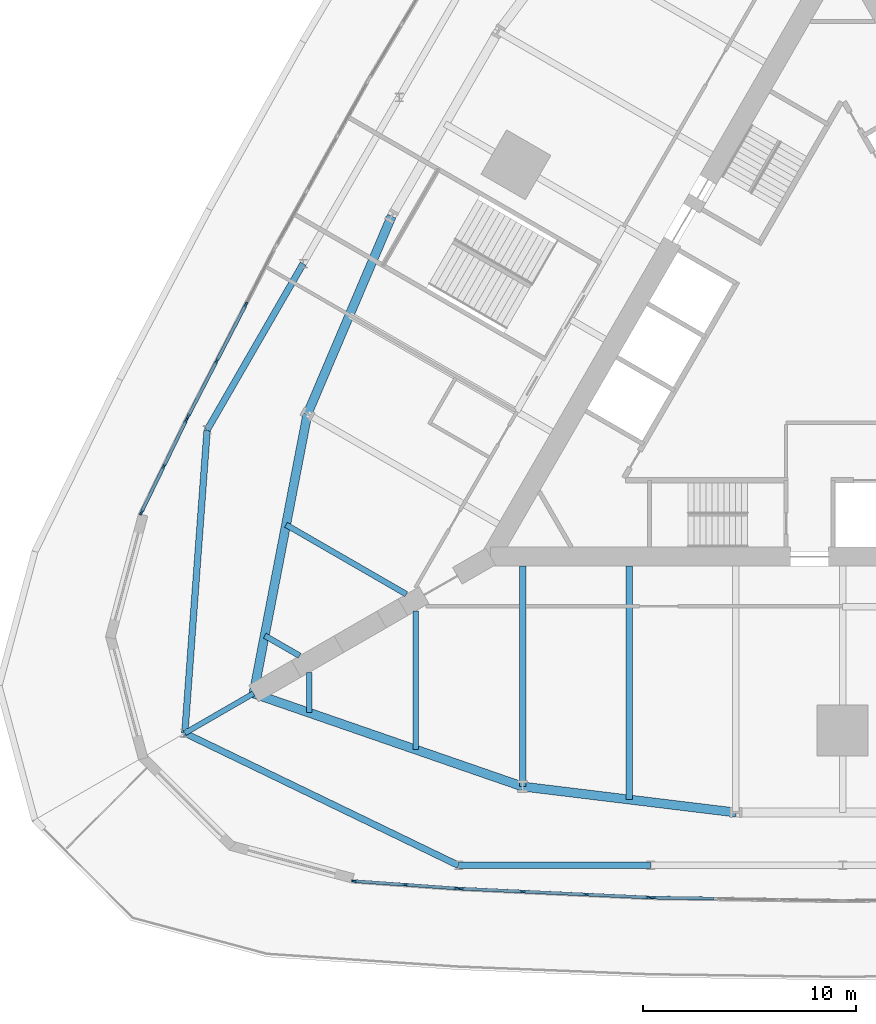
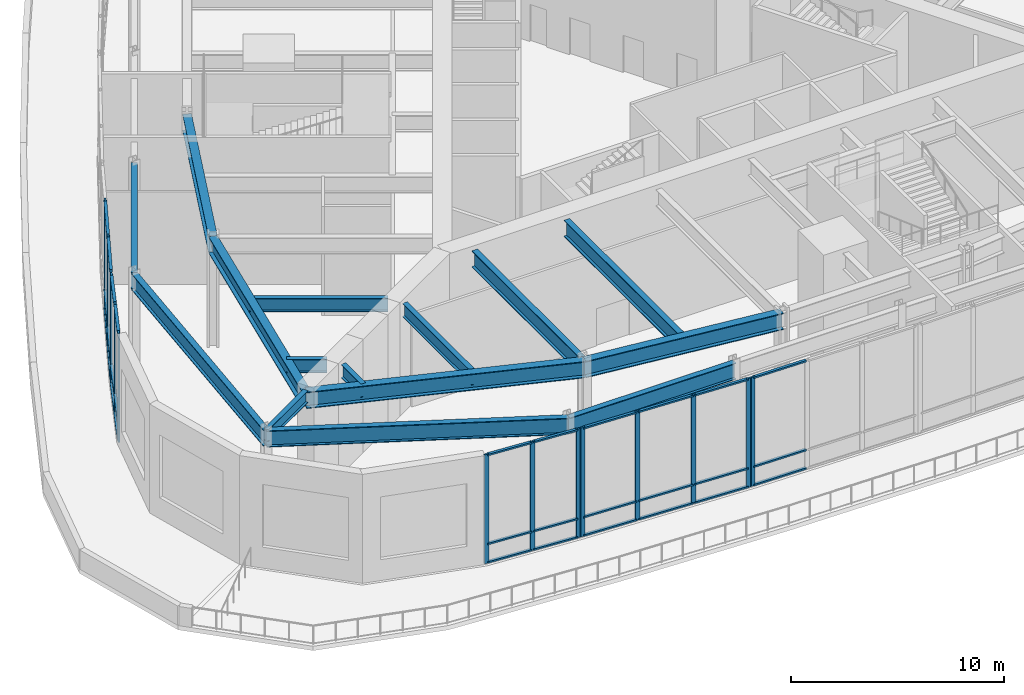
# One storey, part 3 of 19: 44 members, 15 beams, 5 elements without a shape of their own.
"""IFC4 building model written with IfcOpenShell, lengths in metres."""

from ifc_helpers import new_model, si_unit, direction, frame, origin, origin_2d, place, context, subcontext, project, spatial, rectangle, i_section, extrude, material, material_profile, profile_set, type_object, element, aggregate, save


model = new_model("IFC4")

# Units and contexts
model_context = context("Model", 3, precision=1e-05, world=origin(), true_north=direction((0.0, 1.0)))
body_context = subcontext(model_context, "Body", "Model", "MODEL_VIEW")
ifc_project = project(units=[si_unit("LENGTHUNIT", "METRE"), si_unit("AREAUNIT", "SQUARE_METRE"), si_unit("VOLUMEUNIT", "CUBIC_METRE"), si_unit("PLANEANGLEUNIT", "RADIAN"), si_unit("MASSUNIT", "GRAM", prefix="KILO")], contexts=[model_context])

# Site, building, storey
site_placement = place(None, origin())
site = spatial("IfcSite", under=ifc_project, at=site_placement, CompositionType="ELEMENT")
building_placement = place(site_placement, origin())
building = spatial("IfcBuilding", under=site, at=building_placement, Name="Trikona Tower", CompositionType="ELEMENT")
storey_placement = place(building_placement, frame((0.0, 0.0, 11.0)))
storey = spatial("IfcBuildingStorey", under=building, at=storey_placement, Name="L02", CompositionType="ELEMENT", Elevation=11.0)

# Curtain wall, members
ifc_material_1 = material(Name="Aluminium curtain wall system", Category="aluminium")
curtain_wall_type = type_object("IfcCurtainWallType", Name="Curtain wall PD", PredefinedType="NOTDEFINED", material=ifc_material_1)
curtain_wall_1_placement = place(storey_placement, origin())
curtain_wall_1 = element("IfcCurtainWall", 1, at=curtain_wall_1_placement, inside=storey, type_object=curtain_wall_type, Name="Curtain wall PD L02", PredefinedType="NOTDEFINED")
ifc_material_2 = material(Name="Aluminium mullion, pale anodised", Category="aluminium")
ifc_material_profile_1 = material_profile(ifc_material_2, rectangle(XDim=0.090087890625, YDim=0.25, at=origin_2d()), Name="MUL-PD")
ifc_profile_set_1 = profile_set([ifc_material_profile_1], Name="Aluminium mullion, pale anodised")
member_type_1 = type_object("IfcMemberType", Name="Mullion PD 90x250", PredefinedType="MULLION", material=ifc_profile_set_1)
member_1_placement = place(storey_placement, frame((-22.88818359375, -24.73388671875, 0.0), z_axis=(0.0, 0.0, 1.0), x_axis=(0.071126492569, 0.997467303752, 0.0)))
member_1 = element("IfcMember", 2, at=member_1_placement, type_object=member_type_1, Name="CW-PD mullion 1", PredefinedType="MULLION", context=body_context, shape_type="SweptSolid", body=[
    extrude(rectangle(XDim=0.090087890625, YDim=0.25, at=origin_2d()), origin(), (0.0, 0.0, 1.0), 6.25),
])
member_2_placement = place(storey_placement, frame((-20.492919921875, -24.904541015625, 0.0), z_axis=(0.0, 0.0, 1.0), x_axis=(0.071126492569, 0.997467303752, 0.0)))
member_2 = element("IfcMember", 3, at=member_2_placement, type_object=member_type_1, Name="CW-PD mullion 2", PredefinedType="MULLION", context=body_context, shape_type="SweptSolid", body=[
    extrude(rectangle(XDim=0.090087890625, YDim=0.25, at=origin_2d()), origin(), (0.0, 0.0, 1.0), 6.25),
])
member_3_placement = place(storey_placement, frame((-18.09765625, -25.075439453125, 0.0), z_axis=(0.0, 0.0, 1.0), x_axis=(0.071126492569, 0.997467303752, 0.0)))
member_3 = element("IfcMember", 4, at=member_3_placement, type_object=member_type_1, Name="CW-PD mullion 3", PredefinedType="MULLION", context=body_context, shape_type="SweptSolid", body=[
    extrude(rectangle(XDim=0.090087890625, YDim=0.25, at=origin_2d()), origin(), (0.0, 0.0, 1.0), 6.25),
])

curtain_wall_2_placement = place(storey_placement, origin())
curtain_wall_2 = element("IfcCurtainWall", 5, at=curtain_wall_2_placement, inside=storey, type_object=curtain_wall_type, Name="Curtain wall PD L02", PredefinedType="NOTDEFINED")
member_4_placement = place(storey_placement, frame((-17.890380859375, -25.087646484375, 0.0), z_axis=(0.0, 0.0, 1.0), x_axis=(0.046906713512, 0.998899274315, 0.0)))
member_4 = element("IfcMember", 6, at=member_4_placement, type_object=member_type_1, Name="CW-PD mullion 1", PredefinedType="MULLION", context=body_context, shape_type="SweptSolid", body=[
    extrude(rectangle(XDim=0.090087890625, YDim=0.25, at=origin_2d()), origin(), (0.0, 0.0, 1.0), 6.25),
])
member_5_placement = place(storey_placement, frame((-14.975341796875, -25.224609375, 0.0), z_axis=(0.0, 0.0, 1.0), x_axis=(0.046906713512, 0.998899274315, 0.0)))
member_5 = element("IfcMember", 7, at=member_5_placement, type_object=member_type_1, Name="CW-PD mullion 2", PredefinedType="MULLION", context=body_context, shape_type="SweptSolid", body=[
    extrude(rectangle(XDim=0.090087890625, YDim=0.25, at=origin_2d()), origin(), (0.0, 0.0, 1.0), 6.25),
])
member_6_placement = place(storey_placement, frame((-12.015380859375, -25.363525390625, 0.0), z_axis=(0.0, 0.0, 1.0), x_axis=(0.046906713512, 0.998899274315, 0.0)))
member_6 = element("IfcMember", 8, at=member_6_placement, type_object=member_type_1, Name="CW-PD mullion 3", PredefinedType="MULLION", context=body_context, shape_type="SweptSolid", body=[
    extrude(rectangle(XDim=0.090087890625, YDim=0.25, at=origin_2d()), origin(), (0.0, 0.0, 1.0), 6.25),
])
member_7_placement = place(storey_placement, frame((-9.10009765625, -25.50048828125, 0.0), z_axis=(0.0, 0.0, 1.0), x_axis=(0.046906713512, 0.998899274315, 0.0)))
member_7 = element("IfcMember", 9, at=member_7_placement, type_object=member_type_1, Name="CW-PD mullion 4", PredefinedType="MULLION", context=body_context, shape_type="SweptSolid", body=[
    extrude(rectangle(XDim=0.090087890625, YDim=0.25, at=origin_2d()), origin(), (0.0, 0.0, 1.0), 6.25),
])

# Curtain wall, member
curtain_wall_3_placement = place(storey_placement, origin())
curtain_wall_3 = element("IfcCurtainWall", 10, at=curtain_wall_3_placement, inside=storey, type_object=curtain_wall_type, Name="Curtain wall PD L02", PredefinedType="NOTDEFINED")
member_8_placement = place(storey_placement, frame((-8.893310546875, -25.5068359375, 0.0), z_axis=(0.0, 0.0, 1.0), x_axis=(0.015651235835, 0.999877511907, 0.0)))
member_8 = element("IfcMember", 11, at=member_8_placement, type_object=member_type_1, Name="CW-PD mullion 1", PredefinedType="MULLION", context=body_context, shape_type="SweptSolid", body=[
    extrude(rectangle(XDim=0.090087890625, YDim=0.25, at=origin_2d()), origin(), (0.0, 0.0, 1.0), 6.25),
])

# Curtain wall, members
curtain_wall_4_placement = place(storey_placement, origin())
curtain_wall_4 = element("IfcCurtainWall", 12, at=curtain_wall_4_placement, inside=storey, type_object=curtain_wall_type, Name="Curtain wall PD L02", PredefinedType="NOTDEFINED")
member_9_placement = place(storey_placement, frame((-27.97314453125, 2.276123046875, 0.0), z_axis=(0.0, 0.0, 1.0), x_axis=(0.88852451172, -0.458829153469, 0.0)))
member_9 = element("IfcMember", 13, at=member_9_placement, type_object=member_type_1, Name="CW-PD mullion 2", PredefinedType="MULLION", context=body_context, shape_type="SweptSolid", body=[
    extrude(rectangle(XDim=0.090087890625, YDim=0.25, at=origin_2d()), origin(), (0.0, 0.0, 1.0), 6.25),
])
member_10_placement = place(storey_placement, frame((-29.332763671875, -0.356689453125, 0.0), z_axis=(0.0, 0.0, 1.0), x_axis=(0.88852451172, -0.458829153469, 0.0)))
member_10 = element("IfcMember", 14, at=member_10_placement, type_object=member_type_1, Name="CW-PD mullion 3", PredefinedType="MULLION", context=body_context, shape_type="SweptSolid", body=[
    extrude(rectangle(XDim=0.090087890625, YDim=0.25, at=origin_2d()), origin(), (0.0, 0.0, 1.0), 6.25),
])
member_11_placement = place(storey_placement, frame((-30.671630859375, -2.94970703125, 0.0), z_axis=(0.0, 0.0, 1.0), x_axis=(0.88852451172, -0.458829153469, 0.0)))
member_11 = element("IfcMember", 15, at=member_11_placement, type_object=member_type_1, Name="CW-PD mullion 4", PredefinedType="MULLION", context=body_context, shape_type="SweptSolid", body=[
    extrude(rectangle(XDim=0.090087890625, YDim=0.25, at=origin_2d()), origin(), (0.0, 0.0, 1.0), 6.25),
])

curtain_wall_5_placement = place(storey_placement, origin())
curtain_wall_5 = element("IfcCurtainWall", 16, at=curtain_wall_5_placement, inside=storey, type_object=curtain_wall_type, Name="Curtain wall PD L02", PredefinedType="NOTDEFINED")
member_12_placement = place(storey_placement, frame((-30.764892578125, -3.13525390625, 0.0), z_axis=(0.0, 0.0, 1.0), x_axis=(0.899398658731, -0.437129331746, 0.0)))
member_12 = element("IfcMember", 17, at=member_12_placement, type_object=member_type_1, Name="CW-PD mullion 1", PredefinedType="MULLION", context=body_context, shape_type="SweptSolid", body=[
    extrude(rectangle(XDim=0.090087890625, YDim=0.25, at=origin_2d()), origin(), (0.0, 0.0, 1.0), 6.25),
])
member_13_placement = place(storey_placement, frame((-31.814453125, -5.295166015625, 0.0), z_axis=(0.0, 0.0, 1.0), x_axis=(0.899398658731, -0.437129331746, 0.0)))
member_13 = element("IfcMember", 18, at=member_13_placement, type_object=member_type_1, Name="CW-PD mullion 2", PredefinedType="MULLION", context=body_context, shape_type="SweptSolid", body=[
    extrude(rectangle(XDim=0.090087890625, YDim=0.25, at=origin_2d()), origin(), (0.0, 0.0, 1.0), 6.25),
])
member_14_placement = place(storey_placement, frame((-32.864013671875, -7.454833984375, 0.0), z_axis=(0.0, 0.0, 1.0), x_axis=(0.899398658731, -0.437129331746, 0.0)))
member_14 = element("IfcMember", 19, at=member_14_placement, type_object=member_type_1, Name="CW-PD mullion 3", PredefinedType="MULLION", context=body_context, shape_type="SweptSolid", body=[
    extrude(rectangle(XDim=0.090087890625, YDim=0.25, at=origin_2d()), origin(), (0.0, 0.0, 1.0), 6.25),
])

# Beams
ifc_material_3 = material(Name="Steel ASTM A992 Grade 50", Category="steel")
ifc_material_profile_2 = material_profile(ifc_material_3, i_section(OverallWidth=0.25390625, OverallDepth=0.683349609375, WebThickness=0.012451171875, FlangeThickness=0.01904296875, at=origin_2d()), Name="W27X94")
ifc_profile_set_2 = profile_set([ifc_material_profile_2], Name="Steel ASTM A992 Grade 50")
beam_type_1 = type_object("IfcBeamType", Name="Steel beam W27x94 (pod radial)", PredefinedType="BEAM", material=ifc_profile_set_2)
beam_1_placement = place(storey_placement, frame((-27.612060546875, -15.94189453125, 5.908447265625), z_axis=(-0.866031337506, -0.499989722352, 0.0), x_axis=(0.499989722352, -0.866031337506, 0.0)))
element("IfcBeam", 20, at=beam_1_placement, inside=storey, type_object=beam_type_1, Name="Podium beam L03 RKK2D35.6", PredefinedType="BEAM", context=body_context, shape_type="SweptSolid", body=[
    extrude(i_section(OverallWidth=0.25390625, OverallDepth=0.683349609375, WebThickness=0.012451171875, FlangeThickness=0.01904296875, at=origin_2d()), origin(), (0.0, 0.0, 1.0), 3.71630859375),
])
ifc_material_4 = material(Name="Steel ASTM A992 Grade 50", Category="steel")
ifc_material_profile_3 = material_profile(ifc_material_4, i_section(OverallWidth=0.2666015625, OverallDepth=0.76953125, WebThickness=0.015625, FlangeThickness=0.025390625, at=origin_2d()), Name="W30X132")
ifc_profile_set_3 = profile_set([ifc_material_profile_3], Name="Steel ASTM A992 Grade 50")
beam_type_2 = type_object("IfcBeamType", Name="Steel beam W30x132 (wedge)", PredefinedType="BEAM", material=ifc_profile_set_3)
beam_2_placement = place(storey_placement, frame((-25.0, -14.953369140625, 5.865234375), z_axis=(0.0, -1.0, 0.0), x_axis=(1.0, 0.0, 0.0)))
element("IfcBeam", 21, at=beam_2_placement, inside=storey, type_object=beam_type_2, Name="Floor beam L03 F1 u-25", PredefinedType="BEAM", context=body_context, shape_type="SweptSolid", body=[
    extrude(i_section(OverallWidth=0.2666015625, OverallDepth=0.76953125, WebThickness=0.015625, FlangeThickness=0.025390625, at=origin_2d()), origin(), (0.0, 0.0, 1.0), 1.890380859375),
])
for number, where, z_axis, x_axis, name in (
    (22, (-20.0, -12.066650390625, 5.865234375), (0.0, -1.0, 0.0), (1.0, 0.0, 0.0), "Floor beam L03 F1 u-20"),
    (23, (-20.449951171875, -11.287109375, 5.865234375), (-0.866022504693, 0.50000502134, 0.0), (-0.50000502134, -0.866022504693, 0.0), "Floor beam L03 F3 u20"),
):
    element("IfcBeam", number, at=place(storey_placement, frame(where, z_axis=z_axis, x_axis=x_axis)), inside=storey, type_object=beam_type_2, Name=name, PredefinedType="BEAM", context=body_context, shape_type="SweptSolid", body=[
        extrude(i_section(OverallWidth=0.2666015625, OverallDepth=0.76953125, WebThickness=0.015625, FlangeThickness=0.025390625, at=origin_2d()), origin(), (0.0, 0.0, 1.0), 6.5068359375),
    ])
beam_3_placement = place(storey_placement, frame((-25.449951171875, -14.173828125, 5.865234375), z_axis=(-0.866065156741, 0.499931139538, 0.0), x_axis=(-0.499931139538, -0.866065156741, 0.0)))
element("IfcBeam", 24, at=beam_3_placement, inside=storey, type_object=beam_type_2, Name="Floor beam L03 F3 u25", PredefinedType="BEAM", context=body_context, shape_type="SweptSolid", body=[
    extrude(i_section(OverallWidth=0.2666015625, OverallDepth=0.76953125, WebThickness=0.015625, FlangeThickness=0.025390625, at=origin_2d()), origin(), (0.0, 0.0, 1.0), 1.890380859375),
])
ifc_material_5 = material(Name="Steel ASTM A992 Grade 50", Category="steel")
ifc_material_profile_4 = material_profile(ifc_material_5, i_section(OverallWidth=0.307373046875, OverallDepth=0.9423828125, WebThickness=0.022216796875, FlangeThickness=0.039794921875, at=origin_2d()), Name="W36X232")
ifc_profile_set_4 = profile_set([ifc_material_profile_4], Name="Steel ASTM A992 Grade 50")
beam_type_3 = type_object("IfcBeamType", Name="Steel beam W36x232 (ballroom)", PredefinedType="BEAM", material=ifc_profile_set_4)
for number, where, z_axis, x_axis, name in (
    (25, (-18.0, -24.0, 5.77880859375), (1.0, 0.0, 0.0), (0.0, 1.0, 0.0), "Podium beam L03 GR24F0m18-R24F0m9"),
    (26, (-25.28466796875, 4.205810546875, 5.77880859375), (-0.5000018851, -0.866024315419, 0.0), (0.866024315419, -0.5000018851, 0.0), "Podium beam L03 GR24F2p9-R24F2p18"),
):
    element("IfcBeam", number, at=place(storey_placement, frame(where, z_axis=z_axis, x_axis=x_axis)), inside=storey, type_object=beam_type_3, Name=name, PredefinedType="BEAM", context=body_context, shape_type="SweptSolid", body=[
        extrude(i_section(OverallWidth=0.307373046875, OverallDepth=0.9423828125, WebThickness=0.022216796875, FlangeThickness=0.039794921875, at=origin_2d()), origin(), (0.0, 0.0, 1.0), 9.0),
    ])
for number, where, z_axis, x_axis, name in (
    (27, (-30.83056640625, -17.800048828125, 5.77880859375), (0.073395845647, 0.997302887714, 0.0), (-0.997302887714, 0.073395845647, 0.0), "Podium beam L03 CK2D35.6-R24F2p18"),
    (28, (-30.83056640625, -17.800048828125, 5.77880859375), (0.900389895956, -0.435083940476, 0.0), (0.435083940476, 0.900389895956, 0.0), "Podium beam L03 CK2D35.6-R24F0m18"),
):
    element("IfcBeam", number, at=place(storey_placement, frame(where, z_axis=z_axis, x_axis=x_axis)), inside=storey, type_object=beam_type_3, Name=name, PredefinedType="BEAM", context=body_context, shape_type="SweptSolid", body=[
        extrude(i_section(OverallWidth=0.307373046875, OverallDepth=0.9423828125, WebThickness=0.022216796875, FlangeThickness=0.039794921875, at=origin_2d()), origin(), (0.0, 0.0, 1.0), 14.25),
    ])
ifc_material_6 = material(Name="Steel ASTM A992 Grade 50", Category="steel")
ifc_material_profile_5 = material_profile(ifc_material_6, i_section(OverallWidth=0.307373046875, OverallDepth=0.9423828125, WebThickness=0.022216796875, FlangeThickness=0.039794921875, at=origin_2d()), Name="W36X232")
ifc_profile_set_5 = profile_set([ifc_material_profile_5], Name="Steel ASTM A992 Grade 50")
beam_type_4 = type_object("IfcBeamType", Name="Steel beam W36x232 (radial low)", PredefinedType="BEAM", material=ifc_profile_set_5)
beam_4_placement = place(storey_placement, frame((-15.0, -9.976318359375, 5.77880859375), z_axis=(0.0, -1.0, 0.0), x_axis=(1.0, 0.0, 0.0)))
element("IfcBeam", 29, at=beam_4_placement, inside=storey, type_object=beam_type_4, Name="Floor beam L03 F1 u-15", PredefinedType="BEAM", context=body_context, shape_type="SweptSolid", body=[
    extrude(i_section(OverallWidth=0.307373046875, OverallDepth=0.9423828125, WebThickness=0.022216796875, FlangeThickness=0.039794921875, at=origin_2d()), origin(), (0.0, 0.0, 1.0), 10.32666015625),
])
beam_5_placement = place(storey_placement, frame((-10.0, -9.976318359375, 5.77880859375), z_axis=(0.0, -1.0, 0.0), x_axis=(1.0, 0.0, 0.0)))
element("IfcBeam", 30, at=beam_5_placement, inside=storey, type_object=beam_type_4, Name="Floor beam L03 F1 u-10", PredefinedType="BEAM", context=body_context, shape_type="SweptSolid", body=[
    extrude(i_section(OverallWidth=0.307373046875, OverallDepth=0.9423828125, WebThickness=0.022216796875, FlangeThickness=0.039794921875, at=origin_2d()), origin(), (0.0, 0.0, 1.0), 10.935302734375),
])
ifc_material_7 = material(Name="Steel ASTM A992 Grade 50", Category="steel")
ifc_material_profile_6 = material_profile(ifc_material_7, i_section(OverallWidth=0.424072265625, OverallDepth=0.947509765625, WebThickness=0.02392578125, FlangeThickness=0.042724609375, at=origin_2d()), Name="W36X302")
ifc_profile_set_6 = profile_set([ifc_material_profile_6], Name="Steel ASTM A992 Grade 50")
beam_type_5 = type_object("IfcBeamType", Name="Steel beam W36x302 (pod tower spandrel)", PredefinedType="BEAM", material=ifc_profile_set_6)
beam_6_placement = place(storey_placement, frame((-27.6103515625, -15.94091796875, 5.7763671875), z_axis=(0.945056965739, -0.326905692071, 0.0), x_axis=(0.326905692071, 0.945056965739, 0.0)))
element("IfcBeam", 31, at=beam_6_placement, inside=storey, type_object=beam_type_5, Name="Spandrel beam L03 F1-1", PredefinedType="BEAM", context=body_context, shape_type="SweptSolid", body=[
    extrude(i_section(OverallWidth=0.424072265625, OverallDepth=0.947509765625, WebThickness=0.02392578125, FlangeThickness=0.042724609375, at=origin_2d()), origin(), (0.0, 0.0, 1.0), 13.343505859375),
])
beam_7_placement = place(storey_placement, frame((-15.0, -20.302978515625, 5.7763671875), z_axis=(0.99266951126, -0.120860421207, 0.0), x_axis=(0.120860421207, 0.99266951126, 0.0)))
element("IfcBeam", 32, at=beam_7_placement, inside=storey, type_object=beam_type_5, Name="Spandrel beam L03 F1-2", PredefinedType="BEAM", context=body_context, shape_type="SweptSolid", body=[
    extrude(i_section(OverallWidth=0.424072265625, OverallDepth=0.947509765625, WebThickness=0.02392578125, FlangeThickness=0.042724609375, at=origin_2d()), origin(), (0.0, 0.0, 1.0), 10.07373046875),
])
beam_8_placement = place(storey_placement, frame((-21.13720703125, 6.43017578125, 5.7763671875), z_axis=(-0.391683514847, -0.920100007715, 0.0), x_axis=(0.920100007715, -0.391683514847, 0.0)))
element("IfcBeam", 33, at=beam_8_placement, inside=storey, type_object=beam_type_5, Name="Spandrel beam L03 F3-4", PredefinedType="BEAM", context=body_context, shape_type="SweptSolid", body=[
    extrude(i_section(OverallWidth=0.424072265625, OverallDepth=0.947509765625, WebThickness=0.02392578125, FlangeThickness=0.042724609375, at=origin_2d()), origin(), (0.0, 0.0, 1.0), 10.073974609375),
])
beam_9_placement = place(storey_placement, frame((-25.0830078125, -2.8388671875, 5.7763671875), z_axis=(-0.189405184036, -0.981899015307, 0.0), x_axis=(0.981899015307, -0.189405184036, 0.0)))
element("IfcBeam", 34, at=beam_9_placement, inside=storey, type_object=beam_type_5, Name="Spandrel beam L03 F3-5", PredefinedType="BEAM", context=body_context, shape_type="SweptSolid", body=[
    extrude(i_section(OverallWidth=0.424072265625, OverallDepth=0.947509765625, WebThickness=0.02392578125, FlangeThickness=0.042724609375, at=origin_2d()), origin(), (0.0, 0.0, 1.0), 13.343505859375),
])

# Member
ifc_material_8 = material(Name="Aluminium transom, pale anodised", Category="aluminium")
ifc_material_profile_7 = material_profile(ifc_material_8, rectangle(XDim=0.14990234375, YDim=0.090087890625, at=origin_2d()), Name="TRN-PD")
ifc_profile_set_7 = profile_set([ifc_material_profile_7], Name="Aluminium transom, pale anodised")
member_type_2 = type_object("IfcMemberType", Name="Transom PD 90x150", PredefinedType="USERDEFINED", material=ifc_profile_set_7)
member_15_placement = place(storey_placement, frame((-22.84326171875, -24.737060546875, 0.044921875), z_axis=(0.997469947491, -0.071089407462, 0.0), x_axis=(0.071089407462, 0.997469947491, 0.0)))
member_15 = element("IfcMember", 35, at=member_15_placement, type_object=member_type_2, Name="CW-PD transom 1.1", ObjectType="TRANSOM", PredefinedType="USERDEFINED", context=body_context, shape_type="SweptSolid", body=[
    extrude(rectangle(XDim=0.14990234375, YDim=0.090087890625, at=origin_2d()), origin(), (0.0, 0.0, 1.0), 2.311279296875),
])

member_16_placement = place(storey_placement, frame((-22.84326171875, -24.737060546875, 1.10009765625), z_axis=(0.997469947491, -0.071089407462, 0.0), x_axis=(0.071089407462, 0.997469947491, 0.0)))
member_16 = element("IfcMember", 36, at=member_16_placement, type_object=member_type_2, Name="CW-PD transom 1.2", ObjectType="TRANSOM", PredefinedType="USERDEFINED", context=body_context, shape_type="SweptSolid", body=[
    extrude(rectangle(XDim=0.14990234375, YDim=0.090087890625, at=origin_2d()), origin(), (0.0, 0.0, 1.0), 2.311279296875),
])

member_17_placement = place(storey_placement, frame((-22.84326171875, -24.737060546875, 6.205078125), z_axis=(0.997469947491, -0.071089407462, 0.0), x_axis=(0.071089407462, 0.997469947491, 0.0)))
member_17 = element("IfcMember", 37, at=member_17_placement, type_object=member_type_2, Name="CW-PD transom 1.3", ObjectType="TRANSOM", PredefinedType="USERDEFINED", context=body_context, shape_type="SweptSolid", body=[
    extrude(rectangle(XDim=0.14990234375, YDim=0.090087890625, at=origin_2d()), origin(), (0.0, 0.0, 1.0), 2.311279296875),
])

member_18_placement = place(storey_placement, frame((-20.447998046875, -24.90771484375, 0.044921875), z_axis=(0.997462451791, -0.071194503072, 0.0), x_axis=(0.071194503072, 0.997462451791, 0.0)))
member_18 = element("IfcMember", 38, at=member_18_placement, type_object=member_type_2, Name="CW-PD transom 2.1", ObjectType="TRANSOM", PredefinedType="USERDEFINED", context=body_context, shape_type="SweptSolid", body=[
    extrude(rectangle(XDim=0.14990234375, YDim=0.090087890625, at=origin_2d()), origin(), (0.0, 0.0, 1.0), 2.311279296875),
])

member_19_placement = place(storey_placement, frame((-20.447998046875, -24.90771484375, 1.10009765625), z_axis=(0.997462451791, -0.071194503072, 0.0), x_axis=(0.071194503072, 0.997462451791, 0.0)))
member_19 = element("IfcMember", 39, at=member_19_placement, type_object=member_type_2, Name="CW-PD transom 2.2", ObjectType="TRANSOM", PredefinedType="USERDEFINED", context=body_context, shape_type="SweptSolid", body=[
    extrude(rectangle(XDim=0.14990234375, YDim=0.090087890625, at=origin_2d()), origin(), (0.0, 0.0, 1.0), 2.311279296875),
])

member_20_placement = place(storey_placement, frame((-20.447998046875, -24.90771484375, 6.205078125), z_axis=(0.997462451791, -0.071194503072, 0.0), x_axis=(0.071194503072, 0.997462451791, 0.0)))
member_20 = element("IfcMember", 40, at=member_20_placement, type_object=member_type_2, Name="CW-PD transom 2.3", ObjectType="TRANSOM", PredefinedType="USERDEFINED", context=body_context, shape_type="SweptSolid", body=[
    extrude(rectangle(XDim=0.14990234375, YDim=0.090087890625, at=origin_2d()), origin(), (0.0, 0.0, 1.0), 2.311279296875),
])

aggregate(curtain_wall_1, [member_1, member_2, member_3, member_15, member_16, member_17, member_18, member_19, member_20])

member_21_placement = place(storey_placement, frame((-17.845458984375, -25.089599609375, 0.044921875), z_axis=(0.998896856888, -0.046958165412, 0.0), x_axis=(0.046958165412, 0.998896856888, 0.0)))
member_21 = element("IfcMember", 41, at=member_21_placement, type_object=member_type_2, Name="CW-PD transom 1.1", ObjectType="TRANSOM", PredefinedType="USERDEFINED", context=body_context, shape_type="SweptSolid", body=[
    extrude(rectangle(XDim=0.14990234375, YDim=0.090087890625, at=origin_2d()), origin(), (0.0, 0.0, 1.0), 2.828369140625),
])

member_22_placement = place(storey_placement, frame((-17.845458984375, -25.089599609375, 1.10009765625), z_axis=(0.998896856888, -0.046958165412, 0.0), x_axis=(0.046958165412, 0.998896856888, 0.0)))
member_22 = element("IfcMember", 42, at=member_22_placement, type_object=member_type_2, Name="CW-PD transom 1.2", ObjectType="TRANSOM", PredefinedType="USERDEFINED", context=body_context, shape_type="SweptSolid", body=[
    extrude(rectangle(XDim=0.14990234375, YDim=0.090087890625, at=origin_2d()), origin(), (0.0, 0.0, 1.0), 2.828369140625),
])

member_23_placement = place(storey_placement, frame((-17.845458984375, -25.089599609375, 6.205078125), z_axis=(0.998896856888, -0.046958165412, 0.0), x_axis=(0.046958165412, 0.998896856888, 0.0)))
member_23 = element("IfcMember", 43, at=member_23_placement, type_object=member_type_2, Name="CW-PD transom 1.3", ObjectType="TRANSOM", PredefinedType="USERDEFINED", context=body_context, shape_type="SweptSolid", body=[
    extrude(rectangle(XDim=0.14990234375, YDim=0.090087890625, at=origin_2d()), origin(), (0.0, 0.0, 1.0), 2.828369140625),
])

member_24_placement = place(storey_placement, frame((-14.930419921875, -25.2265625, 0.044921875), z_axis=(0.99889944539, -0.04690307025, 0.0), x_axis=(0.04690307025, 0.99889944539, 0.0)))
member_24 = element("IfcMember", 44, at=member_24_placement, type_object=member_type_2, Name="CW-PD transom 2.1", ObjectType="TRANSOM", PredefinedType="USERDEFINED", context=body_context, shape_type="SweptSolid", body=[
    extrude(rectangle(XDim=0.14990234375, YDim=0.090087890625, at=origin_2d()), origin(), (0.0, 0.0, 1.0), 2.873291015625),
])

member_25_placement = place(storey_placement, frame((-14.930419921875, -25.2265625, 1.10009765625), z_axis=(0.99889944539, -0.04690307025, 0.0), x_axis=(0.04690307025, 0.99889944539, 0.0)))
member_25 = element("IfcMember", 45, at=member_25_placement, type_object=member_type_2, Name="CW-PD transom 2.2", ObjectType="TRANSOM", PredefinedType="USERDEFINED", context=body_context, shape_type="SweptSolid", body=[
    extrude(rectangle(XDim=0.14990234375, YDim=0.090087890625, at=origin_2d()), origin(), (0.0, 0.0, 1.0), 2.873291015625),
])

member_26_placement = place(storey_placement, frame((-14.930419921875, -25.2265625, 6.205078125), z_axis=(0.99889944539, -0.04690307025, 0.0), x_axis=(0.04690307025, 0.99889944539, 0.0)))
member_26 = element("IfcMember", 46, at=member_26_placement, type_object=member_type_2, Name="CW-PD transom 2.3", ObjectType="TRANSOM", PredefinedType="USERDEFINED", context=body_context, shape_type="SweptSolid", body=[
    extrude(rectangle(XDim=0.14990234375, YDim=0.090087890625, at=origin_2d()), origin(), (0.0, 0.0, 1.0), 2.873291015625),
])

member_27_placement = place(storey_placement, frame((-11.97021484375, -25.36572265625, 0.044921875), z_axis=(0.998900902156, -0.046872035074, 0.0), x_axis=(0.046872035074, 0.998900902156, 0.0)))
member_27 = element("IfcMember", 47, at=member_27_placement, type_object=member_type_2, Name="CW-PD transom 3.1", ObjectType="TRANSOM", PredefinedType="USERDEFINED", context=body_context, shape_type="SweptSolid", body=[
    extrude(rectangle(XDim=0.14990234375, YDim=0.090087890625, at=origin_2d()), origin(), (0.0, 0.0, 1.0), 2.828369140625),
])

member_28_placement = place(storey_placement, frame((-11.97021484375, -25.36572265625, 1.10009765625), z_axis=(0.998900902156, -0.046872035074, 0.0), x_axis=(0.046872035074, 0.998900902156, 0.0)))
member_28 = element("IfcMember", 48, at=member_28_placement, type_object=member_type_2, Name="CW-PD transom 3.2", ObjectType="TRANSOM", PredefinedType="USERDEFINED", context=body_context, shape_type="SweptSolid", body=[
    extrude(rectangle(XDim=0.14990234375, YDim=0.090087890625, at=origin_2d()), origin(), (0.0, 0.0, 1.0), 2.828369140625),
])

member_29_placement = place(storey_placement, frame((-11.97021484375, -25.36572265625, 6.205078125), z_axis=(0.998900902156, -0.046872035074, 0.0), x_axis=(0.046872035074, 0.998900902156, 0.0)))
member_29 = element("IfcMember", 49, at=member_29_placement, type_object=member_type_2, Name="CW-PD transom 3.3", ObjectType="TRANSOM", PredefinedType="USERDEFINED", context=body_context, shape_type="SweptSolid", body=[
    extrude(rectangle(XDim=0.14990234375, YDim=0.090087890625, at=origin_2d()), origin(), (0.0, 0.0, 1.0), 2.828369140625),
])

aggregate(curtain_wall_2, [member_4, member_5, member_6, member_7, member_21, member_22, member_23, member_24, member_25, member_26, member_27, member_28, member_29])

member_30_placement = place(storey_placement, frame((-8.848388671875, -25.507568359375, 0.044921875), z_axis=(0.99987767769, -0.015640641229, 0.0), x_axis=(0.015640641229, 0.99987767769, 0.0)))
member_30 = element("IfcMember", 50, at=member_30_placement, type_object=member_type_2, Name="CW-PD transom 1.1", ObjectType="TRANSOM", PredefinedType="USERDEFINED", context=body_context, shape_type="SweptSolid", body=[
    extrude(rectangle(XDim=0.14990234375, YDim=0.090087890625, at=origin_2d()), origin(), (0.0, 0.0, 1.0), 2.8251953125),
])

member_31_placement = place(storey_placement, frame((-8.848388671875, -25.507568359375, 1.10009765625), z_axis=(0.99987767769, -0.015640641229, 0.0), x_axis=(0.015640641229, 0.99987767769, 0.0)))
member_31 = element("IfcMember", 51, at=member_31_placement, type_object=member_type_2, Name="CW-PD transom 1.2", ObjectType="TRANSOM", PredefinedType="USERDEFINED", context=body_context, shape_type="SweptSolid", body=[
    extrude(rectangle(XDim=0.14990234375, YDim=0.090087890625, at=origin_2d()), origin(), (0.0, 0.0, 1.0), 2.8251953125),
])

member_32_placement = place(storey_placement, frame((-8.848388671875, -25.507568359375, 6.205078125), z_axis=(0.99987767769, -0.015640641229, 0.0), x_axis=(0.015640641229, 0.99987767769, 0.0)))
member_32 = element("IfcMember", 52, at=member_32_placement, type_object=member_type_2, Name="CW-PD transom 1.3", ObjectType="TRANSOM", PredefinedType="USERDEFINED", context=body_context, shape_type="SweptSolid", body=[
    extrude(rectangle(XDim=0.14990234375, YDim=0.090087890625, at=origin_2d()), origin(), (0.0, 0.0, 1.0), 2.8251953125),
])

aggregate(curtain_wall_3, [member_8, member_30, member_31, member_32])

member_33_placement = place(storey_placement, frame((-27.99365234375, 2.236328125, 0.044921875), z_axis=(-0.458798735899, -0.888540218525, 0.0), x_axis=(0.888540218525, -0.458798735899, 0.0)))
member_33 = element("IfcMember", 53, at=member_33_placement, type_object=member_type_2, Name="CW-PD transom 2.1", ObjectType="TRANSOM", PredefinedType="USERDEFINED", context=body_context, shape_type="SweptSolid", body=[
    extrude(rectangle(XDim=0.14990234375, YDim=0.090087890625, at=origin_2d()), origin(), (0.0, 0.0, 1.0), 2.87353515625),
])

member_34_placement = place(storey_placement, frame((-27.99365234375, 2.236328125, 1.10009765625), z_axis=(-0.458798735899, -0.888540218525, 0.0), x_axis=(0.888540218525, -0.458798735899, 0.0)))
member_34 = element("IfcMember", 54, at=member_34_placement, type_object=member_type_2, Name="CW-PD transom 2.2", ObjectType="TRANSOM", PredefinedType="USERDEFINED", context=body_context, shape_type="SweptSolid", body=[
    extrude(rectangle(XDim=0.14990234375, YDim=0.090087890625, at=origin_2d()), origin(), (0.0, 0.0, 1.0), 2.87353515625),
])

member_35_placement = place(storey_placement, frame((-27.99365234375, 2.236328125, 6.205078125), z_axis=(-0.458798735899, -0.888540218525, 0.0), x_axis=(0.888540218525, -0.458798735899, 0.0)))
member_35 = element("IfcMember", 55, at=member_35_placement, type_object=member_type_2, Name="CW-PD transom 2.3", ObjectType="TRANSOM", PredefinedType="USERDEFINED", context=body_context, shape_type="SweptSolid", body=[
    extrude(rectangle(XDim=0.14990234375, YDim=0.090087890625, at=origin_2d()), origin(), (0.0, 0.0, 1.0), 2.87353515625),
])

member_36_placement = place(storey_placement, frame((-29.353271484375, -0.396728515625, 0.044921875), z_axis=(-0.458845181927, -0.888516234529, 0.0), x_axis=(0.888516234529, -0.458845181927, 0.0)))
member_36 = element("IfcMember", 56, at=member_36_placement, type_object=member_type_2, Name="CW-PD transom 3.1", ObjectType="TRANSOM", PredefinedType="USERDEFINED", context=body_context, shape_type="SweptSolid", body=[
    extrude(rectangle(XDim=0.14990234375, YDim=0.090087890625, at=origin_2d()), origin(), (0.0, 0.0, 1.0), 2.82861328125),
])

member_37_placement = place(storey_placement, frame((-29.353271484375, -0.396728515625, 1.10009765625), z_axis=(-0.458845181927, -0.888516234529, 0.0), x_axis=(0.888516234529, -0.458845181927, 0.0)))
member_37 = element("IfcMember", 57, at=member_37_placement, type_object=member_type_2, Name="CW-PD transom 3.2", ObjectType="TRANSOM", PredefinedType="USERDEFINED", context=body_context, shape_type="SweptSolid", body=[
    extrude(rectangle(XDim=0.14990234375, YDim=0.090087890625, at=origin_2d()), origin(), (0.0, 0.0, 1.0), 2.82861328125),
])

member_38_placement = place(storey_placement, frame((-29.353271484375, -0.396728515625, 6.205078125), z_axis=(-0.458845181927, -0.888516234529, 0.0), x_axis=(0.888516234529, -0.458845181927, 0.0)))
member_38 = element("IfcMember", 58, at=member_38_placement, type_object=member_type_2, Name="CW-PD transom 3.3", ObjectType="TRANSOM", PredefinedType="USERDEFINED", context=body_context, shape_type="SweptSolid", body=[
    extrude(rectangle(XDim=0.14990234375, YDim=0.090087890625, at=origin_2d()), origin(), (0.0, 0.0, 1.0), 2.82861328125),
])

aggregate(curtain_wall_4, [member_9, member_10, member_11, member_33, member_34, member_35, member_36, member_37, member_38])

member_39_placement = place(storey_placement, frame((-30.784423828125, -3.17578125, 0.044921875), z_axis=(-0.437087092719, -0.899419186686, 0.0), x_axis=(0.899419186686, -0.437087092719, 0.0)))
member_39 = element("IfcMember", 59, at=member_39_placement, type_object=member_type_2, Name="CW-PD transom 1.1", ObjectType="TRANSOM", PredefinedType="USERDEFINED", context=body_context, shape_type="SweptSolid", body=[
    extrude(rectangle(XDim=0.14990234375, YDim=0.090087890625, at=origin_2d()), origin(), (0.0, 0.0, 1.0), 2.311279296875),
])

member_40_placement = place(storey_placement, frame((-30.784423828125, -3.17578125, 1.10009765625), z_axis=(-0.437087092719, -0.899419186686, 0.0), x_axis=(0.899419186686, -0.437087092719, 0.0)))
member_40 = element("IfcMember", 60, at=member_40_placement, type_object=member_type_2, Name="CW-PD transom 1.2", ObjectType="TRANSOM", PredefinedType="USERDEFINED", context=body_context, shape_type="SweptSolid", body=[
    extrude(rectangle(XDim=0.14990234375, YDim=0.090087890625, at=origin_2d()), origin(), (0.0, 0.0, 1.0), 2.311279296875),
])

member_41_placement = place(storey_placement, frame((-30.784423828125, -3.17578125, 6.205078125), z_axis=(-0.437087092719, -0.899419186686, 0.0), x_axis=(0.899419186686, -0.437087092719, 0.0)))
member_41 = element("IfcMember", 61, at=member_41_placement, type_object=member_type_2, Name="CW-PD transom 1.3", ObjectType="TRANSOM", PredefinedType="USERDEFINED", context=body_context, shape_type="SweptSolid", body=[
    extrude(rectangle(XDim=0.14990234375, YDim=0.090087890625, at=origin_2d()), origin(), (0.0, 0.0, 1.0), 2.311279296875),
])

member_42_placement = place(storey_placement, frame((-31.834228515625, -5.335693359375, 0.044921875), z_axis=(-0.437128621006, -0.899399004167, 0.0), x_axis=(0.899399004167, -0.437128621006, 0.0)))
member_42 = element("IfcMember", 62, at=member_42_placement, type_object=member_type_2, Name="CW-PD transom 2.1", ObjectType="TRANSOM", PredefinedType="USERDEFINED", context=body_context, shape_type="SweptSolid", body=[
    extrude(rectangle(XDim=0.14990234375, YDim=0.090087890625, at=origin_2d()), origin(), (0.0, 0.0, 1.0), 2.31103515625),
])

member_43_placement = place(storey_placement, frame((-31.834228515625, -5.335693359375, 1.10009765625), z_axis=(-0.437128621006, -0.899399004167, 0.0), x_axis=(0.899399004167, -0.437128621006, 0.0)))
member_43 = element("IfcMember", 63, at=member_43_placement, type_object=member_type_2, Name="CW-PD transom 2.2", ObjectType="TRANSOM", PredefinedType="USERDEFINED", context=body_context, shape_type="SweptSolid", body=[
    extrude(rectangle(XDim=0.14990234375, YDim=0.090087890625, at=origin_2d()), origin(), (0.0, 0.0, 1.0), 2.31103515625),
])

member_44_placement = place(storey_placement, frame((-31.834228515625, -5.335693359375, 6.205078125), z_axis=(-0.437128621006, -0.899399004167, 0.0), x_axis=(0.899399004167, -0.437128621006, 0.0)))
member_44 = element("IfcMember", 64, at=member_44_placement, type_object=member_type_2, Name="CW-PD transom 2.3", ObjectType="TRANSOM", PredefinedType="USERDEFINED", context=body_context, shape_type="SweptSolid", body=[
    extrude(rectangle(XDim=0.14990234375, YDim=0.090087890625, at=origin_2d()), origin(), (0.0, 0.0, 1.0), 2.31103515625),
])

aggregate(curtain_wall_5, [member_12, member_13, member_14, member_39, member_40, member_41, member_42, member_43, member_44])

save(model, "model.ifc")
